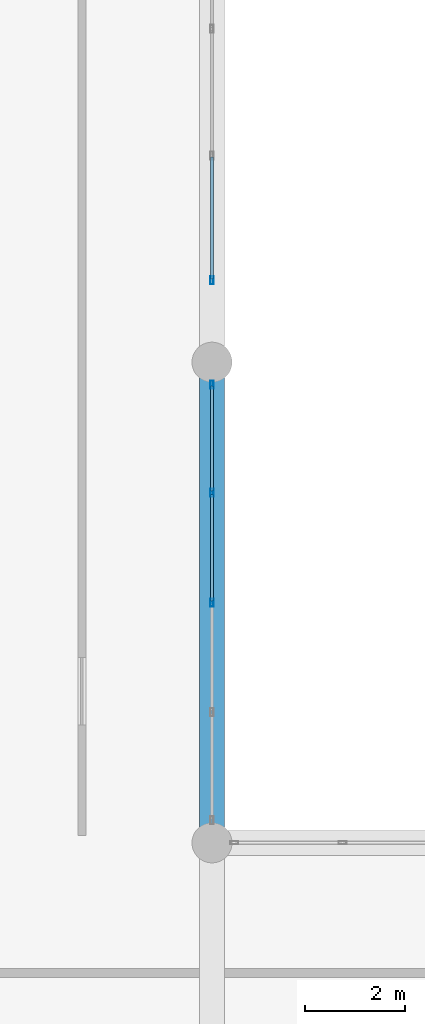
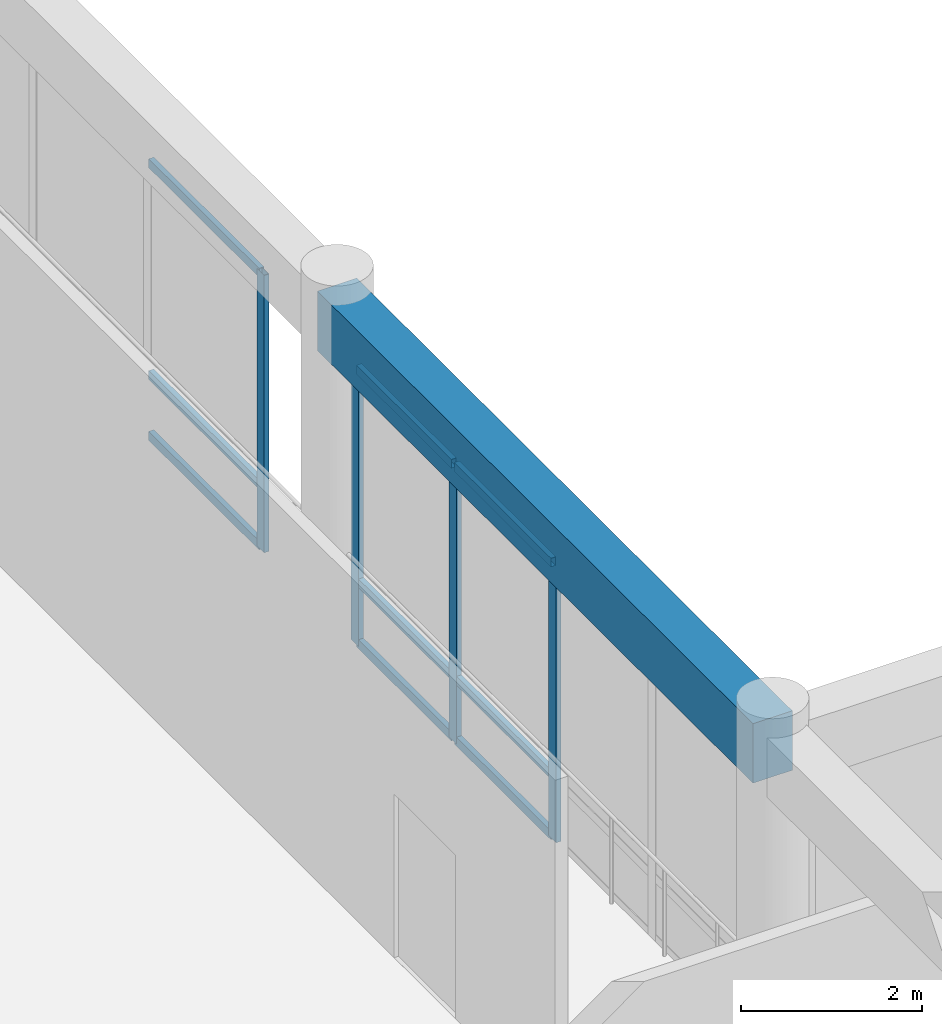
# One storey, part 8 of 101: 13 members, 1 beam, 2 elements without a shape of their own.
"""IFC4 building model written with IfcOpenShell, lengths in metres."""

import ifcopenshell
import ifcopenshell.guid

model = None  # the IFC model being written
_history = None  # IfcOwnerHistory: only IFC2X3 demands one
_inside = {}  # id of a spatial element -> (the spatial element, [elements in it])
_under = {}  # id of a project, library or spatial element -> (it, [spatial elements below it])
_declared = {}  # id of a project -> (the project, [libraries it declares])
_typed = {}  # id of a type object -> (the type object, [elements of that type])
_made_of = {}  # id of a material, layer set ... -> (it, [elements and type objects made of it])


def new_model(schema):
    """Start an empty IFC model of exactly this schema.

    Asked for "IFC4X3", IfcOpenShell would pick the latest addendum, in which some entities
    have other attributes; the version numbers below select the first issue.
    IFC2X3 requires an IfcOwnerHistory on every rooted entity: one is made here for all.
    """
    global model, _history
    if schema == "IFC4X3":
        model = ifcopenshell.file(schema_version=(4, 3, 0, 0))
    else:
        model = ifcopenshell.file(schema=schema)
    _inside.clear()
    _under.clear()
    _declared.clear()
    _typed.clear()
    _made_of.clear()
    _history = None
    if model.schema == "IFC2X3":
        org = make("IfcOrganization", Name="unknown")
        user = make(
            "IfcPersonAndOrganization",
            ThePerson=make("IfcPerson", FamilyName="unknown"),
            TheOrganization=org,
        )
        app = make(
            "IfcApplication",
            ApplicationDeveloper=org,
            Version="unknown",
            ApplicationFullName="unknown",
            ApplicationIdentifier="unknown",
        )
        _history = make(
            "IfcOwnerHistory",
            OwningUser=user,
            OwningApplication=app,
            ChangeAction="ADDED",
            CreationDate=0,
        )
    return model


def make(cls, **values):
    """One entity of the class cls with the attributes given. An attribute that is None is left unset."""
    return model.create_entity(
        cls, **{name: value for name, value in values.items() if value is not None}
    )


def rooted(cls, **values):
    """An entity with a GlobalId (a new one), such as an element, a storey or a relation."""
    return make(cls, GlobalId=ifcopenshell.guid.new(), OwnerHistory=_history, **values)


def si_unit(unit_type, name, prefix=None):
    """IfcSIUnit, for example si_unit("LENGTHUNIT", "METRE", prefix="MILLI")."""
    return make("IfcSIUnit", UnitType=unit_type, Prefix=prefix, Name=name)


def assignment(units):
    """IfcUnitAssignment: the units of a project."""
    return None if units is None else make("IfcUnitAssignment", Units=units)


def point(xyz):
    """IfcCartesianPoint."""
    return None if xyz is None else make("IfcCartesianPoint", Coordinates=xyz)


def direction(xyz):
    """IfcDirection."""
    return None if xyz is None else make("IfcDirection", DirectionRatios=xyz)


def frame(location, z_axis=None, x_axis=None):
    """IfcAxis2Placement3D, a coordinate frame: its origin and axes. An axis left out is left unset."""
    return make(
        "IfcAxis2Placement3D",
        Location=point(location),
        Axis=direction(z_axis),
        RefDirection=direction(x_axis),
    )


def frame_2d(location, x_axis=None):
    """IfcAxis2Placement2D, a coordinate frame in the plane: its origin and x axis."""
    return make(
        "IfcAxis2Placement2D", Location=point(location), RefDirection=direction(x_axis)
    )


def origin():
    """The frame at (0, 0, 0) with its axes left unset."""
    return frame((0.0, 0.0, 0.0))


def origin_2d():
    """The frame at (0, 0) in the plane with its x axis left unset."""
    return frame_2d((0.0, 0.0))


def place(relative_to, where):
    """IfcLocalPlacement: puts the frame where relative to a parent placement (None: the world)."""
    return make(
        "IfcLocalPlacement", PlacementRelTo=relative_to, RelativePlacement=where
    )


def context(
    kind, dimensions, precision=None, world=None, true_north=None, identifier=None
):
    """IfcGeometricRepresentationContext, for example the 3D "Model" context."""
    return make(
        "IfcGeometricRepresentationContext",
        ContextIdentifier=identifier,
        ContextType=kind,
        CoordinateSpaceDimension=dimensions,
        Precision=precision,
        WorldCoordinateSystem=world,
        TrueNorth=true_north,
    )


def subcontext(parent, identifier, kind, view, scale=None):
    """IfcGeometricRepresentationSubContext, for example "Body" below "Model"."""
    return make(
        "IfcGeometricRepresentationSubContext",
        ContextIdentifier=identifier,
        ContextType=kind,
        ParentContext=parent,
        TargetScale=scale,
        TargetView=view,
    )


def project(units=None, contexts=None):
    """IfcProject with its units and contexts."""
    return rooted(
        "IfcProject",
        Name="project",
        RepresentationContexts=contexts,
        UnitsInContext=assignment(units),
    )


def spatial(cls, under=None, at=None, **own):
    """A site, building, storey or space (cls), placed at a placement, below another one or the project."""
    s = rooted(cls, ObjectPlacement=at, **own)
    if under is not None:
        _under.setdefault(under.id(), (under, []))[1].append(s)
    return s


def profile(cls, at=None, kind="AREA", **sizes):
    """A parametric profile (cls). Its sizes go by their IFC names, for example OverallWidth=200.0."""
    return make(cls, ProfileType=kind, Position=at, **sizes)


def rectangle(**sizes):
    """IfcRectangleProfileDef."""
    return profile("IfcRectangleProfileDef", **sizes)


def hollow_rectangle(**sizes):
    """IfcRectangleHollowProfileDef."""
    return profile("IfcRectangleHollowProfileDef", **sizes)


def extrude(swept, where, along, depth):
    """IfcExtrudedAreaSolid: the profile swept, set in the frame where, extruded along a direction by depth."""
    return make(
        "IfcExtrudedAreaSolid",
        SweptArea=swept,
        Position=where,
        ExtrudedDirection=direction(along),
        Depth=depth,
    )


def shape(context_of_items, identifier, shape_type, items):
    """IfcShapeRepresentation: the items that make up one representation, for example the "Body"."""
    return make(
        "IfcShapeRepresentation",
        ContextOfItems=context_of_items,
        RepresentationIdentifier=identifier,
        RepresentationType=shape_type,
        Items=items,
    )


def material(Name=None, Category=None):
    """IfcMaterial."""
    return make("IfcMaterial", Name=Name, Category=Category)


def layer(
    of_material, thickness, ventilated=None, Name=None, Category=None, Priority=None
):
    """IfcMaterialLayer: one layer of a wall or slab, of a material (None: an air gap)."""
    return make(
        "IfcMaterialLayer",
        Material=of_material,
        LayerThickness=thickness,
        IsVentilated=ventilated,
        Name=Name,
        Category=Category,
        Priority=Priority,
    )


def layer_set(layers, Name=None):
    """IfcMaterialLayerSet."""
    return make("IfcMaterialLayerSet", MaterialLayers=layers, LayerSetName=Name)


def material_profile(
    of_material, cross_section, Name=None, Category=None, Priority=None
):
    """IfcMaterialProfile: a cross section and its material."""
    return make(
        "IfcMaterialProfile",
        Name=Name,
        Material=of_material,
        Profile=cross_section,
        Priority=Priority,
        Category=Category,
    )


def profile_set(profiles, Name=None, composite=None):
    """IfcMaterialProfileSet."""
    return make(
        "IfcMaterialProfileSet",
        Name=Name,
        MaterialProfiles=profiles,
        CompositeProfile=composite,
    )


def made_of(thing, what):
    """Note that an element or type object is made of a material, layer set ...; save() writes the relation."""
    if what is not None:
        _made_of.setdefault(what.id(), (what, []))[1].append(thing)
    return thing


def type_object(cls, material=None, **own):
    """A type object (cls), such as IfcWallType, which elements share."""
    return made_of(rooted(cls, **own), material)


def element(
    cls,
    number,
    at=None,
    inside=None,
    cuts=None,
    type_object=None,
    material=None,
    context=None,
    identifier="Body",
    shape_type=None,
    held_by="IfcProductDefinitionShape",
    body=None,
    shapes=None,
    **own,
):
    """One element of the class cls, such as IfcWall. Its Tag is "e" and its number.

    at: its placement. inside: the storey or other place that contains it. cuts: it is an
    opening in that element (IfcRelVoidsElement). A single representation is given by context,
    identifier, shape_type and body (its items); several are given by shapes. held_by: the class
    of the entity that holds the representations. save() writes the other relations.
    """
    e = rooted(cls, Tag="e%d" % number, ObjectPlacement=at, **own)
    if body is not None:
        shapes = [shape(context, identifier, shape_type, body)]
    if shapes is not None:
        e.Representation = make(held_by, Representations=shapes)
    if inside is not None:
        _inside.setdefault(inside.id(), (inside, []))[1].append(e)
    if cuts is not None:
        rooted(
            "IfcRelVoidsElement", RelatingBuildingElement=cuts, RelatedOpeningElement=e
        )
    if type_object is not None:
        _typed.setdefault(type_object.id(), (type_object, []))[1].append(e)
    return made_of(e, material)


def aggregate(whole, parts):
    """IfcRelAggregates: a whole, such as a stair, and the parts it consists of."""
    return rooted("IfcRelAggregates", RelatingObject=whole, RelatedObjects=parts)


def save(model, path):
    """Write the relations noted so far, then the file.

    IfcRelAggregates (storeys below a building ...), IfcRelContainedInSpatialStructure (elements
    in a storey), IfcRelDefinesByType, IfcRelAssociatesMaterial and IfcRelDeclares: one each for
    every whole, place, type object, material and project.
    """
    for whole, parts in _under.values():
        aggregate(whole, parts)
    for where, things in _inside.values():
        rooted(
            "IfcRelContainedInSpatialStructure",
            RelatedElements=things,
            RelatingStructure=where,
        )
    for kind, things in _typed.values():
        rooted("IfcRelDefinesByType", RelatedObjects=things, RelatingType=kind)
    for what, things in _made_of.values():
        rooted("IfcRelAssociatesMaterial", RelatedObjects=things, RelatingMaterial=what)
    for by, libraries in _declared.values():
        rooted("IfcRelDeclares", RelatingContext=by, RelatedDefinitions=libraries)
    model.write(path)


model = new_model("IFC4")

# Units and contexts
model_context = context("Model", 3, precision=1e-05, world=origin(), true_north=direction((0.0, 1.0)))
body_context = subcontext(model_context, "Body", "Model", "MODEL_VIEW")
ifc_project = project(units=[si_unit("LENGTHUNIT", "METRE"), si_unit("AREAUNIT", "SQUARE_METRE"), si_unit("VOLUMEUNIT", "CUBIC_METRE"), si_unit("PLANEANGLEUNIT", "RADIAN"), si_unit("MASSUNIT", "GRAM", prefix="KILO")], contexts=[model_context])

# Site, building, storey
site_placement = place(None, origin())
site = spatial("IfcSite", under=ifc_project, at=site_placement, CompositionType="ELEMENT")
building_placement = place(site_placement, origin())
building = spatial("IfcBuilding", under=site, at=building_placement, Name="Nakhvara Creek Congress Hotel", CompositionType="ELEMENT")
storey_placement = place(building_placement, frame((0.0, 0.0, 16.199951171875)))
storey = spatial("IfcBuildingStorey", under=building, at=storey_placement, Name="L03", CompositionType="ELEMENT", Elevation=16.199951171875)

# Beam
ifc_material_1 = material(Name="Concrete C40/50", Category="concrete")
ifc_material_profile_1 = material_profile(ifc_material_1, rectangle(XDim=0.5, YDim=0.800048828125, at=origin_2d()), Name="RC-BM 500x800", Category="LoadBearing")
ifc_profile_set_1 = profile_set([ifc_material_profile_1], Name="Concrete C40/50")
beam_type = type_object("IfcBeamType", Name="BM-RC-500X800", PredefinedType="BEAM", material=ifc_profile_set_1)
beam_placement = place(storey_placement, frame((76.800048828125, 43.199951171875, 4.14013671875), z_axis=(0.0, 1.0, 0.0), x_axis=(-1.0, 0.0, 0.0)))
element("IfcBeam", 1, at=beam_placement, inside=storey, type_object=beam_type, Name="Beam B03-L03-1707", PredefinedType="BEAM", context=body_context, shape_type="SweptSolid", body=[
    extrude(rectangle(XDim=0.5, YDim=0.800048828125, at=origin_2d()), origin(), (0.0, 0.0, 1.0), 9.60009765625),
])

# Curtain wall, members
ifc_material_2 = material(Name="Bronze-anodised aluminium AW-6063-T6 and double-silver low-E glass", Category="aluminium")
ifc_layer = layer(ifc_material_2, 0.199951171875)
ifc_layer_set = layer_set([ifc_layer], Name="Bronze-anodised aluminium AW-6063-T6 and double-silver low-E glass")
curtain_wall_type = type_object("IfcCurtainWallType", Name="CW-POD-STICK", PredefinedType="NOTDEFINED", material=ifc_layer_set)
curtain_wall_1_placement = place(storey_placement, origin())
curtain_wall_1 = element("IfcCurtainWall", 2, at=curtain_wall_1_placement, inside=storey, type_object=curtain_wall_type, Name="Curtain Wall CW059", PredefinedType="NOTDEFINED")
ifc_material_3 = material(Name="Bronze-anodised aluminium AW-6063-T6", Category="aluminium")
ifc_material_profile_2 = material_profile(ifc_material_3, hollow_rectangle(XDim=0.06494140625, YDim=0.159912109375, WallThickness=0.00390625, at=origin_2d()), Name="ALU-MULL 65x160x4", Category="LoadBearing")
ifc_profile_set_2 = profile_set([ifc_material_profile_2], Name="Bronze-anodised aluminium AW-6063-T6")
member_type_1 = type_object("IfcMemberType", Name="CW-MULL-160", PredefinedType="MULLION", material=ifc_profile_set_2)
member_1_placement = place(storey_placement, frame((76.800048828125, 52.3525390625, 0.0), z_axis=(0.0, 0.0, 1.0), x_axis=(1.0, 0.0, 0.0)))
member_1 = element("IfcMember", 3, at=member_1_placement, type_object=member_type_1, Name="CW059 mullion 1", PredefinedType="MULLION", context=body_context, shape_type="SweptSolid", body=[
    extrude(hollow_rectangle(XDim=0.06494140625, YDim=0.159912109375, WallThickness=0.00390625, at=origin_2d()), origin(), (0.0, 0.0, 1.0), 3.73193359375),
])
member_2_placement = place(storey_placement, frame((76.800048828125, 50.1923828125, 0.0), z_axis=(0.0, 0.0, 1.0), x_axis=(1.0, 0.0, 0.0)))
member_2 = element("IfcMember", 4, at=member_2_placement, type_object=member_type_1, Name="CW059 mullion 2", PredefinedType="MULLION", context=body_context, shape_type="SweptSolid", body=[
    extrude(hollow_rectangle(XDim=0.06494140625, YDim=0.159912109375, WallThickness=0.00390625, at=origin_2d()), origin(), (0.0, 0.0, 1.0), 3.73193359375),
])
member_3_placement = place(storey_placement, frame((76.800048828125, 48.0, 0.0), z_axis=(0.0, 0.0, 1.0), x_axis=(1.0, 0.0, 0.0)))
member_3 = element("IfcMember", 5, at=member_3_placement, type_object=member_type_1, Name="CW059 mullion 3", PredefinedType="MULLION", context=body_context, shape_type="SweptSolid", body=[
    extrude(hollow_rectangle(XDim=0.06494140625, YDim=0.159912109375, WallThickness=0.00390625, at=origin_2d()), origin(), (0.0, 0.0, 1.0), 3.73193359375),
])

# Curtain wall, member
curtain_wall_2_placement = place(storey_placement, origin())
curtain_wall_2 = element("IfcCurtainWall", 6, at=curtain_wall_2_placement, inside=storey, type_object=curtain_wall_type, Name="Curtain Wall CW061", PredefinedType="NOTDEFINED")
member_4_placement = place(storey_placement, frame((76.800048828125, 54.4326171875, 0.0), z_axis=(0.0, 0.0, 1.0), x_axis=(1.0, 0.0, 0.0)))
member_4 = element("IfcMember", 7, at=member_4_placement, type_object=member_type_1, Name="CW061 mullion 4", PredefinedType="MULLION", context=body_context, shape_type="SweptSolid", body=[
    extrude(hollow_rectangle(XDim=0.06494140625, YDim=0.159912109375, WallThickness=0.00390625, at=origin_2d()), origin(), (0.0, 0.0, 1.0), 3.73193359375),
])

# Member
ifc_material_profile_3 = material_profile(ifc_material_3, hollow_rectangle(XDim=0.06494140625, YDim=0.1201171875, WallThickness=0.00390625, at=origin_2d()), Name="ALU-TRAN 65x120x4", Category="LoadBearing")
ifc_profile_set_3 = profile_set([ifc_material_profile_3], Name="Bronze-anodised aluminium AW-6063-T6")
member_type_2 = type_object("IfcMemberType", Name="CW-TRAN-120", PredefinedType="USERDEFINED", material=ifc_profile_set_3)
member_5_placement = place(storey_placement, frame((76.800048828125, 52.320068359375, 0.032470703125), z_axis=(0.0, -1.0, 0.0), x_axis=(1.0, 0.0, 0.0)))
member_5 = element("IfcMember", 8, at=member_5_placement, type_object=member_type_2, Name="CW059 transom 1.1", ObjectType="TRANSOM", PredefinedType="USERDEFINED", context=body_context, shape_type="SweptSolid", body=[
    extrude(hollow_rectangle(XDim=0.06494140625, YDim=0.1201171875, WallThickness=0.00390625, at=origin_2d()), origin(), (0.0, 0.0, 1.0), 2.094970703125),
])

member_6_placement = place(storey_placement, frame((76.800048828125, 52.320068359375, 0.85009765625), z_axis=(0.0, -1.0, 0.0), x_axis=(1.0, 0.0, 0.0)))
member_6 = element("IfcMember", 9, at=member_6_placement, type_object=member_type_2, Name="CW059 transom 1.2", ObjectType="TRANSOM", PredefinedType="USERDEFINED", context=body_context, shape_type="SweptSolid", body=[
    extrude(hollow_rectangle(XDim=0.06494140625, YDim=0.1201171875, WallThickness=0.00390625, at=origin_2d()), origin(), (0.0, 0.0, 1.0), 2.094970703125),
])

member_7_placement = place(storey_placement, frame((76.800048828125, 52.320068359375, 3.699462890625), z_axis=(0.0, -1.0, 0.0), x_axis=(1.0, 0.0, 0.0)))
member_7 = element("IfcMember", 10, at=member_7_placement, type_object=member_type_2, Name="CW059 transom 1.3", ObjectType="TRANSOM", PredefinedType="USERDEFINED", context=body_context, shape_type="SweptSolid", body=[
    extrude(hollow_rectangle(XDim=0.06494140625, YDim=0.1201171875, WallThickness=0.00390625, at=origin_2d()), origin(), (0.0, 0.0, 1.0), 2.094970703125),
])

member_8_placement = place(storey_placement, frame((76.800048828125, 50.159912109375, 0.032470703125), z_axis=(0.0, -1.0, 0.0), x_axis=(1.0, 0.0, 0.0)))
member_8 = element("IfcMember", 11, at=member_8_placement, type_object=member_type_2, Name="CW059 transom 2.1", ObjectType="TRANSOM", PredefinedType="USERDEFINED", context=body_context, shape_type="SweptSolid", body=[
    extrude(hollow_rectangle(XDim=0.06494140625, YDim=0.1201171875, WallThickness=0.00390625, at=origin_2d()), origin(), (0.0, 0.0, 1.0), 2.12744140625),
])

member_9_placement = place(storey_placement, frame((76.800048828125, 50.159912109375, 0.85009765625), z_axis=(0.0, -1.0, 0.0), x_axis=(1.0, 0.0, 0.0)))
member_9 = element("IfcMember", 12, at=member_9_placement, type_object=member_type_2, Name="CW059 transom 2.2", ObjectType="TRANSOM", PredefinedType="USERDEFINED", context=body_context, shape_type="SweptSolid", body=[
    extrude(hollow_rectangle(XDim=0.06494140625, YDim=0.1201171875, WallThickness=0.00390625, at=origin_2d()), origin(), (0.0, 0.0, 1.0), 2.12744140625),
])

member_10_placement = place(storey_placement, frame((76.800048828125, 50.159912109375, 3.699462890625), z_axis=(0.0, -1.0, 0.0), x_axis=(1.0, 0.0, 0.0)))
member_10 = element("IfcMember", 13, at=member_10_placement, type_object=member_type_2, Name="CW059 transom 2.3", ObjectType="TRANSOM", PredefinedType="USERDEFINED", context=body_context, shape_type="SweptSolid", body=[
    extrude(hollow_rectangle(XDim=0.06494140625, YDim=0.1201171875, WallThickness=0.00390625, at=origin_2d()), origin(), (0.0, 0.0, 1.0), 2.12744140625),
])

aggregate(curtain_wall_1, [member_1, member_2, member_3, member_5, member_6, member_7, member_8, member_9, member_10])

member_11_placement = place(storey_placement, frame((76.800048828125, 56.895751953125, 0.032470703125), z_axis=(0.0, -1.0, 0.0), x_axis=(1.0, 0.0, 0.0)))
member_11 = element("IfcMember", 14, at=member_11_placement, type_object=member_type_2, Name="CW061 transom 3.1", ObjectType="TRANSOM", PredefinedType="USERDEFINED", context=body_context, shape_type="SweptSolid", body=[
    extrude(hollow_rectangle(XDim=0.06494140625, YDim=0.1201171875, WallThickness=0.00390625, at=origin_2d()), origin(), (0.0, 0.0, 1.0), 2.4306640625),
])

member_12_placement = place(storey_placement, frame((76.800048828125, 56.895751953125, 0.85009765625), z_axis=(0.0, -1.0, 0.0), x_axis=(1.0, 0.0, 0.0)))
member_12 = element("IfcMember", 15, at=member_12_placement, type_object=member_type_2, Name="CW061 transom 3.2", ObjectType="TRANSOM", PredefinedType="USERDEFINED", context=body_context, shape_type="SweptSolid", body=[
    extrude(hollow_rectangle(XDim=0.06494140625, YDim=0.1201171875, WallThickness=0.00390625, at=origin_2d()), origin(), (0.0, 0.0, 1.0), 2.4306640625),
])

member_13_placement = place(storey_placement, frame((76.800048828125, 56.895751953125, 3.699462890625), z_axis=(0.0, -1.0, 0.0), x_axis=(1.0, 0.0, 0.0)))
member_13 = element("IfcMember", 16, at=member_13_placement, type_object=member_type_2, Name="CW061 transom 3.3", ObjectType="TRANSOM", PredefinedType="USERDEFINED", context=body_context, shape_type="SweptSolid", body=[
    extrude(hollow_rectangle(XDim=0.06494140625, YDim=0.1201171875, WallThickness=0.00390625, at=origin_2d()), origin(), (0.0, 0.0, 1.0), 2.4306640625),
])

aggregate(curtain_wall_2, [member_4, member_11, member_12, member_13])

save(model, "model.ifc")
